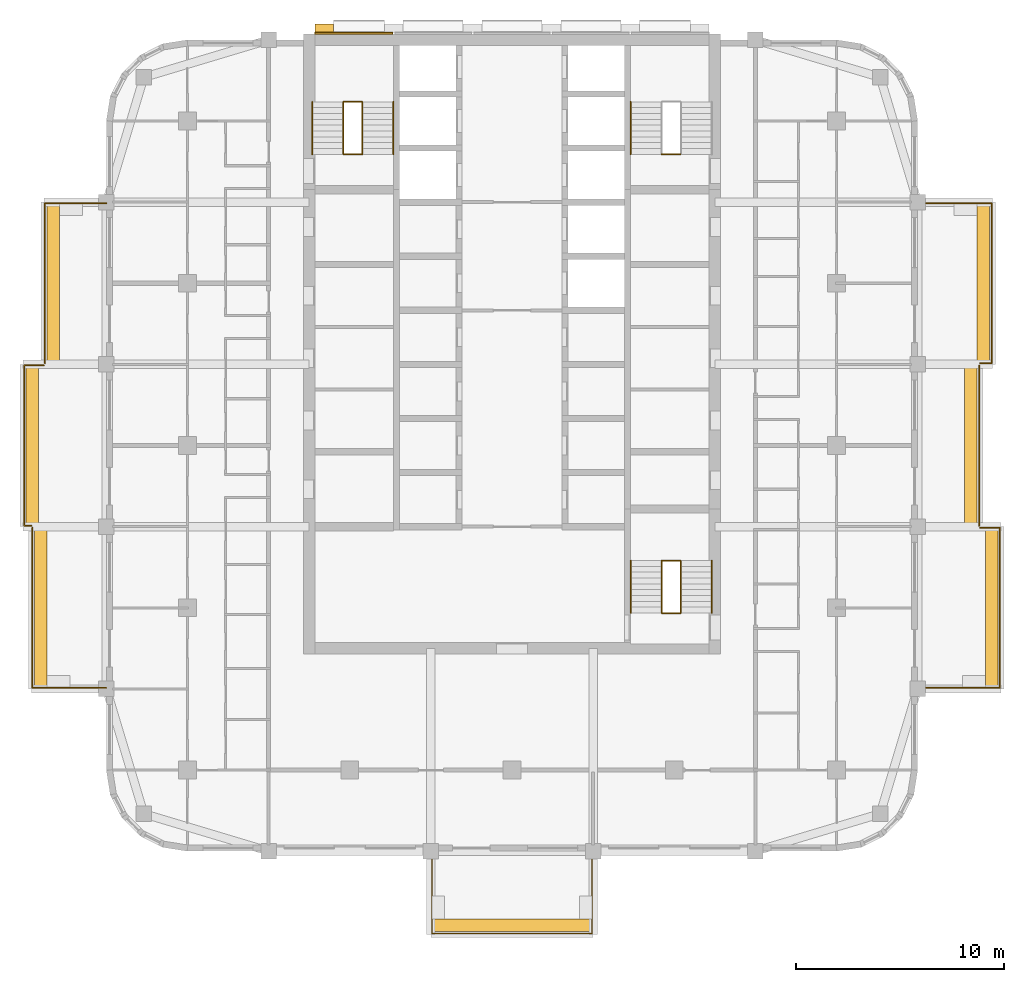
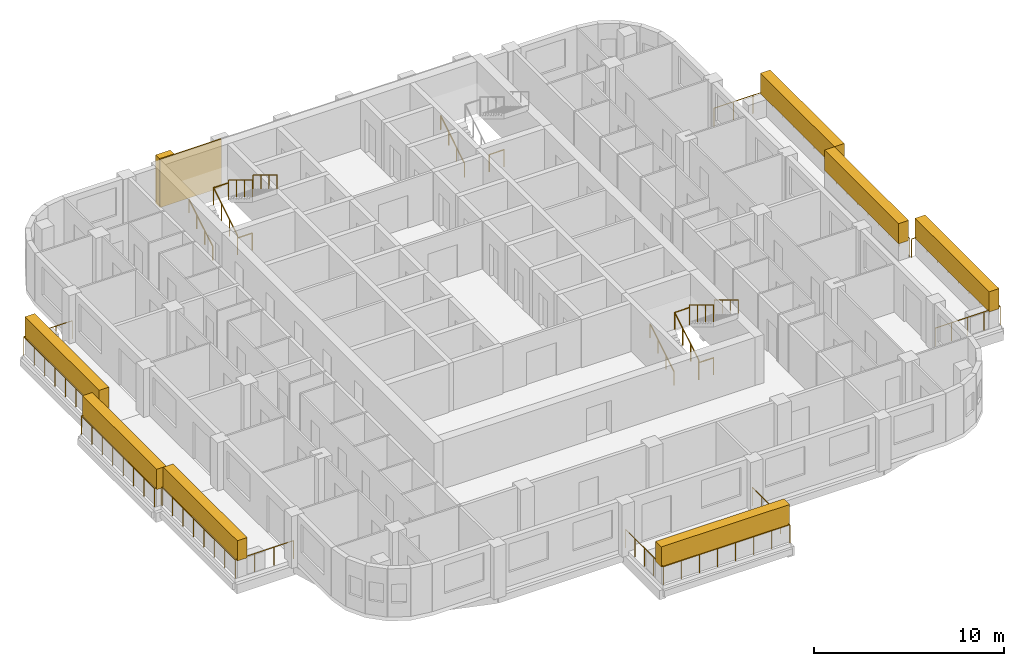
# One storey, part 12 of 13: 21 railings, 9 coverings, 3 elements without a shape of their own.
"""IFC4 building model written with IfcOpenShell, lengths in metres."""

from ifc_helpers import new_model, si_unit, direction, frame, origin, origin_2d, place, context, subcontext, project, spatial, rectangle, circle, extrude, material, layer, layer_set, type_object, element, aggregate, save


model = new_model("IFC4")

# Units and contexts
model_context = context("Model", 3, precision=1e-05, world=origin(), true_north=direction((0.0, 1.0)))
body_context = subcontext(model_context, "Body", "Model", "MODEL_VIEW")
ifc_project = project(units=[si_unit("LENGTHUNIT", "METRE"), si_unit("AREAUNIT", "SQUARE_METRE"), si_unit("VOLUMEUNIT", "CUBIC_METRE"), si_unit("PLANEANGLEUNIT", "RADIAN"), si_unit("MASSUNIT", "GRAM", prefix="KILO")], contexts=[model_context])

# Site, building, storey
site_placement = place(None, origin())
site = spatial("IfcSite", under=ifc_project, at=site_placement, CompositionType="ELEMENT")
building_placement = place(site_placement, origin())
building = spatial("IfcBuilding", under=site, at=building_placement, Name="Ludao Terraces", CompositionType="ELEMENT")
storey_placement = place(building_placement, frame((0.0, 0.0, 169.0)))
storey = spatial("IfcBuildingStorey", under=building, at=storey_placement, Name="L46", CompositionType="ELEMENT", Elevation=169.0)

# Railings
ifc_material_1 = material(Name="Stainless steel 304", Category="steel")
railing_type_1 = type_object("IfcRailingType", Name="ENV Balcony glass guard 1200", PredefinedType="GUARDRAIL", material=ifc_material_1)
railing_1_placement = place(storey_placement, frame((81.14990234375, 45.5, 0.0)))
element("IfcRailing", 1, at=railing_1_placement, inside=storey, type_object=railing_type_1, Name="Balcony guard L46 S1", PredefinedType="GUARDRAIL", context=body_context, shape_type="SweptSolid", body=[
    extrude(circle(Radius=0.02392578125, at=origin_2d()), frame((0.0, 0.0, 1.17578125), z_axis=(0.0, -1.0, 0.0), x_axis=(1.0, 0.0, 0.0)), (0.0, 0.0, 1.0), 3.949951171875),
    extrude(circle(Radius=0.02392578125, at=origin_2d()), frame((0.0, -3.949951171875, 1.17578125), z_axis=(1.0, 0.0, 0.0), x_axis=(0.0, 1.0, 0.0)), (0.0, 0.0, 1.0), 7.7001953125),
    extrude(circle(Radius=0.02392578125, at=origin_2d()), frame((7.7001953125, -3.949951171875, 1.17578125), z_axis=(0.0, 1.0, 0.0), x_axis=(-1.0, 0.0, 0.0)), (0.0, 0.0, 1.0), 3.949951171875),
    extrude(circle(Radius=0.02099609375, at=origin_2d()), origin(), (0.0, 0.0, 1.0), 1.15185546875),
    extrude(circle(Radius=0.02099609375, at=origin_2d()), frame((0.0, -0.987548828125, 0.0)), (0.0, 0.0, 1.0), 1.15185546875),
    extrude(circle(Radius=0.02099609375, at=origin_2d()), frame((0.0, -1.97509765625, 0.0)), (0.0, 0.0, 1.0), 1.15185546875),
    extrude(circle(Radius=0.02099609375, at=origin_2d()), frame((0.0, -2.96240234375, 0.0)), (0.0, 0.0, 1.0), 1.15185546875),
    extrude(circle(Radius=0.02099609375, at=origin_2d()), frame((0.0, -3.949951171875, 0.0)), (0.0, 0.0, 1.0), 1.15185546875),
    extrude(circle(Radius=0.02099609375, at=origin_2d()), frame((1.10009765625, -3.949951171875, 0.0)), (0.0, 0.0, 1.0), 1.15185546875),
    extrude(circle(Radius=0.02099609375, at=origin_2d()), frame((2.199951171875, -3.949951171875, 0.0)), (0.0, 0.0, 1.0), 1.15185546875),
    extrude(circle(Radius=0.02099609375, at=origin_2d()), frame((3.300048828125, -3.949951171875, 0.0)), (0.0, 0.0, 1.0), 1.15185546875),
    extrude(circle(Radius=0.02099609375, at=origin_2d()), frame((4.400146484375, -3.949951171875, 0.0)), (0.0, 0.0, 1.0), 1.15185546875),
    extrude(circle(Radius=0.02099609375, at=origin_2d()), frame((5.500244140625, -3.949951171875, 0.0)), (0.0, 0.0, 1.0), 1.15185546875),
    extrude(circle(Radius=0.02099609375, at=origin_2d()), frame((6.60009765625, -3.949951171875, 0.0)), (0.0, 0.0, 1.0), 1.15185546875),
    extrude(circle(Radius=0.02099609375, at=origin_2d()), frame((7.7001953125, -3.949951171875, 0.0)), (0.0, 0.0, 1.0), 1.15185546875),
    extrude(circle(Radius=0.02099609375, at=origin_2d()), frame((7.7001953125, -2.96240234375, 0.0)), (0.0, 0.0, 1.0), 1.15185546875),
    extrude(circle(Radius=0.02099609375, at=origin_2d()), frame((7.7001953125, -1.97509765625, 0.0)), (0.0, 0.0, 1.0), 1.15185546875),
    extrude(circle(Radius=0.02099609375, at=origin_2d()), frame((7.7001953125, -0.987548828125, 0.0)), (0.0, 0.0, 1.0), 1.15185546875),
    extrude(circle(Radius=0.02099609375, at=origin_2d()), frame((7.7001953125, 0.0, 0.0)), (0.0, 0.0, 1.0), 1.15185546875),
])
railing_2_placement = place(storey_placement, frame((104.5, 53.35009765625, 0.0)))
element("IfcRailing", 2, at=railing_2_placement, inside=storey, type_object=railing_type_1, Name="Balcony guard L46 E1", PredefinedType="GUARDRAIL", context=body_context, shape_type="SweptSolid", body=[
    extrude(circle(Radius=0.02392578125, at=origin_2d()), frame((0.0, 0.0, 1.17578125), z_axis=(1.0, 0.0, 0.0), x_axis=(0.0, 1.0, 0.0)), (0.0, 0.0, 1.0), 3.949951171875),
    extrude(circle(Radius=0.02392578125, at=origin_2d()), frame((3.949951171875, 0.0, 1.17578125), z_axis=(0.0, 1.0, 0.0), x_axis=(-1.0, 0.0, 0.0)), (0.0, 0.0, 1.0), 7.699951171875),
    extrude(circle(Radius=0.02392578125, at=origin_2d()), frame((3.949951171875, 7.699951171875, 1.17578125), z_axis=(-1.0, 0.0, 0.0), x_axis=(0.0, -1.0, 0.0)), (0.0, 0.0, 1.0), 0.949951171875),
    extrude(circle(Radius=0.02099609375, at=origin_2d()), origin(), (0.0, 0.0, 1.0), 1.15185546875),
    extrude(circle(Radius=0.02099609375, at=origin_2d()), frame((0.987548828125, 0.0, 0.0)), (0.0, 0.0, 1.0), 1.15185546875),
    extrude(circle(Radius=0.02099609375, at=origin_2d()), frame((1.97509765625, 0.0, 0.0)), (0.0, 0.0, 1.0), 1.15185546875),
    extrude(circle(Radius=0.02099609375, at=origin_2d()), frame((2.96240234375, 0.0, 0.0)), (0.0, 0.0, 1.0), 1.15185546875),
    extrude(circle(Radius=0.02099609375, at=origin_2d()), frame((3.949951171875, 0.0, 0.0)), (0.0, 0.0, 1.0), 1.15185546875),
    extrude(circle(Radius=0.02099609375, at=origin_2d()), frame((3.949951171875, 1.10009765625, 0.0)), (0.0, 0.0, 1.0), 1.15185546875),
    extrude(circle(Radius=0.02099609375, at=origin_2d()), frame((3.949951171875, 2.199951171875, 0.0)), (0.0, 0.0, 1.0), 1.15185546875),
    extrude(circle(Radius=0.02099609375, at=origin_2d()), frame((3.949951171875, 3.300048828125, 0.0)), (0.0, 0.0, 1.0), 1.15185546875),
    extrude(circle(Radius=0.02099609375, at=origin_2d()), frame((3.949951171875, 4.39990234375, 0.0)), (0.0, 0.0, 1.0), 1.15185546875),
    extrude(circle(Radius=0.02099609375, at=origin_2d()), frame((3.949951171875, 5.5, 0.0)), (0.0, 0.0, 1.0), 1.15185546875),
    extrude(circle(Radius=0.02099609375, at=origin_2d()), frame((3.949951171875, 6.599853515625, 0.0)), (0.0, 0.0, 1.0), 1.15185546875),
    extrude(circle(Radius=0.02099609375, at=origin_2d()), frame((3.949951171875, 7.699951171875, 0.0)), (0.0, 0.0, 1.0), 1.15185546875),
    extrude(circle(Radius=0.02099609375, at=origin_2d()), frame((3.0, 7.699951171875, 0.0)), (0.0, 0.0, 1.0), 1.15185546875),
])
railing_3_placement = place(storey_placement, frame((107.449951171875, 61.14990234375, 0.0)))
element("IfcRailing", 3, at=railing_3_placement, inside=storey, type_object=railing_type_1, Name="Balcony guard L46 E2", PredefinedType="GUARDRAIL", context=body_context, shape_type="SweptSolid", body=[
    extrude(circle(Radius=0.02392578125, at=origin_2d()), frame((0.0, 0.0, 1.17578125), z_axis=(0.0, 1.0, 0.0), x_axis=(-1.0, 0.0, 0.0)), (0.0, 0.0, 1.0), 7.7001953125),
    extrude(circle(Radius=0.02099609375, at=origin_2d()), origin(), (0.0, 0.0, 1.0), 1.15185546875),
    extrude(circle(Radius=0.02099609375, at=origin_2d()), frame((0.0, 1.10009765625, 0.0)), (0.0, 0.0, 1.0), 1.15185546875),
    extrude(circle(Radius=0.02099609375, at=origin_2d()), frame((0.0, 2.199951171875, 0.0)), (0.0, 0.0, 1.0), 1.15185546875),
    extrude(circle(Radius=0.02099609375, at=origin_2d()), frame((0.0, 3.300048828125, 0.0)), (0.0, 0.0, 1.0), 1.15185546875),
    extrude(circle(Radius=0.02099609375, at=origin_2d()), frame((0.0, 4.400146484375, 0.0)), (0.0, 0.0, 1.0), 1.15185546875),
    extrude(circle(Radius=0.02099609375, at=origin_2d()), frame((0.0, 5.500244140625, 0.0)), (0.0, 0.0, 1.0), 1.15185546875),
    extrude(circle(Radius=0.02099609375, at=origin_2d()), frame((0.0, 6.60009765625, 0.0)), (0.0, 0.0, 1.0), 1.15185546875),
    extrude(circle(Radius=0.02099609375, at=origin_2d()), frame((0.0, 7.7001953125, 0.0)), (0.0, 0.0, 1.0), 1.15185546875),
])
railing_4_placement = place(storey_placement, frame((107.5, 68.949951171875, 0.0)))
element("IfcRailing", 4, at=railing_4_placement, inside=storey, type_object=railing_type_1, Name="Balcony guard L46 E3", PredefinedType="GUARDRAIL", context=body_context, shape_type="SweptSolid", body=[
    extrude(circle(Radius=0.02392578125, at=origin_2d()), frame((0.0, 0.0, 1.17578125), z_axis=(1.0, 0.0, 0.0), x_axis=(0.0, 1.0, 0.0)), (0.0, 0.0, 1.0), 0.550048828125),
    extrude(circle(Radius=0.02392578125, at=origin_2d()), frame((0.550048828125, 0.0, 1.17578125), z_axis=(0.0, 1.0, 0.0), x_axis=(-1.0, 0.0, 0.0)), (0.0, 0.0, 1.0), 7.699951171875),
    extrude(circle(Radius=0.02392578125, at=origin_2d()), frame((0.550048828125, 7.699951171875, 1.17578125), z_axis=(-1.0, 0.0, 0.0), x_axis=(0.0, -1.0, 0.0)), (0.0, 0.0, 1.0), 3.550048828125),
    extrude(circle(Radius=0.02099609375, at=origin_2d()), origin(), (0.0, 0.0, 1.0), 1.15185546875),
    extrude(circle(Radius=0.02099609375, at=origin_2d()), frame((0.550048828125, 0.0, 0.0)), (0.0, 0.0, 1.0), 1.15185546875),
    extrude(circle(Radius=0.02099609375, at=origin_2d()), frame((0.550048828125, 1.10009765625, 0.0)), (0.0, 0.0, 1.0), 1.15185546875),
    extrude(circle(Radius=0.02099609375, at=origin_2d()), frame((0.550048828125, 2.199951171875, 0.0)), (0.0, 0.0, 1.0), 1.15185546875),
    extrude(circle(Radius=0.02099609375, at=origin_2d()), frame((0.550048828125, 3.300048828125, 0.0)), (0.0, 0.0, 1.0), 1.15185546875),
    extrude(circle(Radius=0.02099609375, at=origin_2d()), frame((0.550048828125, 4.39990234375, 0.0)), (0.0, 0.0, 1.0), 1.15185546875),
    extrude(circle(Radius=0.02099609375, at=origin_2d()), frame((0.550048828125, 5.5, 0.0)), (0.0, 0.0, 1.0), 1.15185546875),
    extrude(circle(Radius=0.02099609375, at=origin_2d()), frame((0.550048828125, 6.599853515625, 0.0)), (0.0, 0.0, 1.0), 1.15185546875),
    extrude(circle(Radius=0.02099609375, at=origin_2d()), frame((0.550048828125, 7.699951171875, 0.0)), (0.0, 0.0, 1.0), 1.15185546875),
    extrude(circle(Radius=0.02099609375, at=origin_2d()), frame((-0.63330078125, 7.699951171875, 0.0)), (0.0, 0.0, 1.0), 1.15185546875),
    extrude(circle(Radius=0.02099609375, at=origin_2d()), frame((-1.816650390625, 7.699951171875, 0.0)), (0.0, 0.0, 1.0), 1.15185546875),
    extrude(circle(Radius=0.02099609375, at=origin_2d()), frame((-3.0, 7.699951171875, 0.0)), (0.0, 0.0, 1.0), 1.15185546875),
])
railing_5_placement = place(storey_placement, frame((65.5, 53.35009765625, 0.0)))
element("IfcRailing", 5, at=railing_5_placement, inside=storey, type_object=railing_type_1, Name="Balcony guard L46 W1", PredefinedType="GUARDRAIL", context=body_context, shape_type="SweptSolid", body=[
    extrude(circle(Radius=0.02392578125, at=origin_2d()), frame((0.0, 0.0, 1.17578125), z_axis=(-1.0, 0.0, 0.0), x_axis=(0.0, -1.0, 0.0)), (0.0, 0.0, 1.0), 3.550048828125),
    extrude(circle(Radius=0.02392578125, at=origin_2d()), frame((-3.550048828125, 0.0, 1.17578125), z_axis=(0.0, 1.0, 0.0), x_axis=(-1.0, 0.0, 0.0)), (0.0, 0.0, 1.0), 7.699951171875),
    extrude(circle(Radius=0.02099609375, at=origin_2d()), origin(), (0.0, 0.0, 1.0), 1.15185546875),
    extrude(circle(Radius=0.02099609375, at=origin_2d()), frame((-1.183349609375, 0.0, 0.0)), (0.0, 0.0, 1.0), 1.15185546875),
    extrude(circle(Radius=0.02099609375, at=origin_2d()), frame((-2.36669921875, 0.0, 0.0)), (0.0, 0.0, 1.0), 1.15185546875),
    extrude(circle(Radius=0.02099609375, at=origin_2d()), frame((-3.550048828125, 0.0, 0.0)), (0.0, 0.0, 1.0), 1.15185546875),
    extrude(circle(Radius=0.02099609375, at=origin_2d()), frame((-3.550048828125, 1.10009765625, 0.0)), (0.0, 0.0, 1.0), 1.15185546875),
    extrude(circle(Radius=0.02099609375, at=origin_2d()), frame((-3.550048828125, 2.199951171875, 0.0)), (0.0, 0.0, 1.0), 1.15185546875),
    extrude(circle(Radius=0.02099609375, at=origin_2d()), frame((-3.550048828125, 3.300048828125, 0.0)), (0.0, 0.0, 1.0), 1.15185546875),
    extrude(circle(Radius=0.02099609375, at=origin_2d()), frame((-3.550048828125, 4.39990234375, 0.0)), (0.0, 0.0, 1.0), 1.15185546875),
    extrude(circle(Radius=0.02099609375, at=origin_2d()), frame((-3.550048828125, 5.5, 0.0)), (0.0, 0.0, 1.0), 1.15185546875),
    extrude(circle(Radius=0.02099609375, at=origin_2d()), frame((-3.550048828125, 6.599853515625, 0.0)), (0.0, 0.0, 1.0), 1.15185546875),
    extrude(circle(Radius=0.02099609375, at=origin_2d()), frame((-3.550048828125, 7.699951171875, 0.0)), (0.0, 0.0, 1.0), 1.15185546875),
])
railing_6_placement = place(storey_placement, frame((61.89990234375, 61.14990234375, 0.0)))
element("IfcRailing", 6, at=railing_6_placement, inside=storey, type_object=railing_type_1, Name="Balcony guard L46 W2", PredefinedType="GUARDRAIL", context=body_context, shape_type="SweptSolid", body=[
    extrude(circle(Radius=0.02392578125, at=origin_2d()), frame((0.0, 0.0, 1.17578125), z_axis=(-1.0, 0.0, 0.0), x_axis=(0.0, -1.0, 0.0)), (0.0, 0.0, 1.0), 0.349853515625),
    extrude(circle(Radius=0.02392578125, at=origin_2d()), frame((-0.349853515625, 0.0, 1.17578125), z_axis=(0.0, 1.0, 0.0), x_axis=(-1.0, 0.0, 0.0)), (0.0, 0.0, 1.0), 7.7001953125),
    extrude(circle(Radius=0.02392578125, at=origin_2d()), frame((-0.349853515625, 7.7001953125, 1.17578125), z_axis=(1.0, 0.0, 0.0), x_axis=(0.0, 1.0, 0.0)), (0.0, 0.0, 1.0), 0.949951171875),
    extrude(circle(Radius=0.02099609375, at=origin_2d()), origin(), (0.0, 0.0, 1.0), 1.15185546875),
    extrude(circle(Radius=0.02099609375, at=origin_2d()), frame((-0.349853515625, 0.0, 0.0)), (0.0, 0.0, 1.0), 1.15185546875),
    extrude(circle(Radius=0.02099609375, at=origin_2d()), frame((-0.349853515625, 1.10009765625, 0.0)), (0.0, 0.0, 1.0), 1.15185546875),
    extrude(circle(Radius=0.02099609375, at=origin_2d()), frame((-0.349853515625, 2.199951171875, 0.0)), (0.0, 0.0, 1.0), 1.15185546875),
    extrude(circle(Radius=0.02099609375, at=origin_2d()), frame((-0.349853515625, 3.300048828125, 0.0)), (0.0, 0.0, 1.0), 1.15185546875),
    extrude(circle(Radius=0.02099609375, at=origin_2d()), frame((-0.349853515625, 4.400146484375, 0.0)), (0.0, 0.0, 1.0), 1.15185546875),
    extrude(circle(Radius=0.02099609375, at=origin_2d()), frame((-0.349853515625, 5.500244140625, 0.0)), (0.0, 0.0, 1.0), 1.15185546875),
    extrude(circle(Radius=0.02099609375, at=origin_2d()), frame((-0.349853515625, 6.60009765625, 0.0)), (0.0, 0.0, 1.0), 1.15185546875),
    extrude(circle(Radius=0.02099609375, at=origin_2d()), frame((-0.349853515625, 7.7001953125, 0.0)), (0.0, 0.0, 1.0), 1.15185546875),
    extrude(circle(Radius=0.02099609375, at=origin_2d()), frame((0.60009765625, 7.7001953125, 0.0)), (0.0, 0.0, 1.0), 1.15185546875),
])
railing_7_placement = place(storey_placement, frame((62.550048828125, 68.949951171875, 0.0)))
element("IfcRailing", 7, at=railing_7_placement, inside=storey, type_object=railing_type_1, Name="Balcony guard L46 W3", PredefinedType="GUARDRAIL", context=body_context, shape_type="SweptSolid", body=[
    extrude(circle(Radius=0.02392578125, at=origin_2d()), frame((0.0, 0.0, 1.17578125), z_axis=(0.0, 1.0, 0.0), x_axis=(-1.0, 0.0, 0.0)), (0.0, 0.0, 1.0), 7.699951171875),
    extrude(circle(Radius=0.02392578125, at=origin_2d()), frame((0.0, 7.699951171875, 1.17578125), z_axis=(1.0, 0.0, 0.0), x_axis=(0.0, 1.0, 0.0)), (0.0, 0.0, 1.0), 2.949951171875),
    extrude(circle(Radius=0.02099609375, at=origin_2d()), origin(), (0.0, 0.0, 1.0), 1.15185546875),
    extrude(circle(Radius=0.02099609375, at=origin_2d()), frame((0.0, 1.10009765625, 0.0)), (0.0, 0.0, 1.0), 1.15185546875),
    extrude(circle(Radius=0.02099609375, at=origin_2d()), frame((0.0, 2.199951171875, 0.0)), (0.0, 0.0, 1.0), 1.15185546875),
    extrude(circle(Radius=0.02099609375, at=origin_2d()), frame((0.0, 3.300048828125, 0.0)), (0.0, 0.0, 1.0), 1.15185546875),
    extrude(circle(Radius=0.02099609375, at=origin_2d()), frame((0.0, 4.39990234375, 0.0)), (0.0, 0.0, 1.0), 1.15185546875),
    extrude(circle(Radius=0.02099609375, at=origin_2d()), frame((0.0, 5.5, 0.0)), (0.0, 0.0, 1.0), 1.15185546875),
    extrude(circle(Radius=0.02099609375, at=origin_2d()), frame((0.0, 6.599853515625, 0.0)), (0.0, 0.0, 1.0), 1.15185546875),
    extrude(circle(Radius=0.02099609375, at=origin_2d()), frame((0.0, 7.699951171875, 0.0)), (0.0, 0.0, 1.0), 1.15185546875),
    extrude(circle(Radius=0.02099609375, at=origin_2d()), frame((0.9833984375, 7.699951171875, 0.0)), (0.0, 0.0, 1.0), 1.15185546875),
    extrude(circle(Radius=0.02099609375, at=origin_2d()), frame((1.966552734375, 7.699951171875, 0.0)), (0.0, 0.0, 1.0), 1.15185546875),
    extrude(circle(Radius=0.02099609375, at=origin_2d()), frame((2.949951171875, 7.699951171875, 0.0)), (0.0, 0.0, 1.0), 1.15185546875),
])

# Coverings
ifc_material_2 = material(Name="Granite cladding", Category="masonry")
ifc_layer_1 = layer(ifc_material_2, 0.39990234375)
ifc_layer_set_1 = layer_set([ifc_layer_1], Name="ENV Core pilaster stone 400")
covering_type_1 = type_object("IfcCoveringType", Name="ENV Core pilaster stone 400", PredefinedType="CLADDING", material=ifc_layer_set_1)
covering_1_placement = place(storey_placement, frame((75.97509765625, 85.054931640625, 0.0), z_axis=(0.0, 0.0, 1.0), x_axis=(1.0, 0.0, 0.0)))
element("IfcCovering", 8, at=covering_1_placement, inside=storey, type_object=covering_type_1, Name="CC-L46-PIL1", PredefinedType="CLADDING", context=body_context, shape_type="SweptSolid", body=[
    extrude(rectangle(XDim=0.89990234375, YDim=0.39990234375, at=origin_2d()), origin(), (0.0, 0.0, 1.0), 3.10009765625),
])
ifc_layer_2 = layer(ifc_material_2, 0.080078125)
ifc_layer_set_2 = layer_set([ifc_layer_2], Name="ENV Core stone cladding panel 80")
covering_type_2 = type_object("IfcCoveringType", Name="ENV Core stone cladding panel 80", PredefinedType="CLADDING", material=ifc_layer_set_2)
covering_2_placement = place(storey_placement, frame((77.39501953125, 84.81494140625, 0.0), z_axis=(0.0, 0.0, 1.0), x_axis=(1.0, 0.0, 0.0)))
element("IfcCovering", 9, at=covering_2_placement, inside=storey, type_object=covering_type_2, Name="CC-L46-CORE1", PredefinedType="CLADDING", context=body_context, shape_type="SweptSolid", body=[
    extrude(rectangle(XDim=3.739990234375, YDim=0.080078125, at=origin_2d()), origin(), (0.0, 0.0, 1.0), 3.10009765625),
])
ifc_material_3 = material(Name="Planting")
ifc_layer_3 = layer(ifc_material_3, 0.60009765625)
ifc_layer_set_3 = layer_set([ifc_layer_3], Name="ENV Planting hedge 600x1300")
covering_type_3 = type_object("IfcCoveringType", Name="ENV Planting hedge 600x1300", PredefinedType="USERDEFINED", material=ifc_layer_set_3)
covering_3_placement = place(storey_placement, frame((85.0, 41.949951171875, 1.10009765625), z_axis=(0.0, 0.0, 1.0), x_axis=(1.0, 0.0, 0.0)))
element("IfcCovering", 10, at=covering_3_placement, inside=storey, type_object=covering_type_3, Name="Planting hedge L46-S1", ObjectType="PLANTING", PredefinedType="USERDEFINED", context=body_context, shape_type="SweptSolid", body=[
    extrude(rectangle(XDim=7.800048828125, YDim=0.60009765625, at=origin_2d()), origin(), (0.0, 0.0, 1.0), 1.300048828125),
])
for number, where, z_axis, x_axis, name in (
    (11, (108.050048828125, 57.199951171875, 1.10009765625), (0.0, 0.0, 1.0), (1.0, 0.0, 0.0), "Planting hedge L46-E1"),
    (12, (107.050048828125, 65.0, 1.10009765625), (0.0, 0.0, 1.0), (1.0, 0.0, 0.0), "Planting hedge L46-E2"),
    (13, (107.64990234375, 72.800048828125, 1.10009765625), (0.0, 0.0, 1.0), (1.0, 0.0, 0.0), "Planting hedge L46-E3"),
    (14, (62.35009765625, 57.199951171875, 1.10009765625), (0.0, 0.0, 1.0), (1.0, 0.0, 0.0), "Planting hedge L46-W1"),
    (15, (61.949951171875, 65.0, 1.10009765625), (0.0, 0.0, 1.0), (1.0, 0.0, 0.0), "Planting hedge L46-W2"),
    (16, (62.949951171875, 72.800048828125, 1.10009765625), (0.0, 0.0, 1.0), (1.0, 0.0, 0.0), "Planting hedge L46-W3"),
):
    element("IfcCovering", number, at=place(storey_placement, frame(where, z_axis=z_axis, x_axis=x_axis)), inside=storey, type_object=covering_type_3, Name=name, ObjectType="PLANTING", PredefinedType="USERDEFINED", context=body_context, shape_type="SweptSolid", body=[
        extrude(rectangle(XDim=0.60009765625, YDim=7.800048828125, at=origin_2d()), origin(), (0.0, 0.0, 1.0), 1.300048828125),
    ])

# Stair, railings
ifc_material_4 = material(Name="Concrete C40", Category="concrete")
stair_type = type_object("IfcStairType", Name="INT Stair", PredefinedType="HALF_TURN_STAIR", material=ifc_material_4)
stair_1_placement = place(storey_placement, origin())
stair_1 = element("IfcStair", 17, at=stair_1_placement, inside=storey, type_object=stair_type, Name="EXIT STAIR 1", PredefinedType="HALF_TURN_STAIR")
railing_type_2 = type_object("IfcRailingType", Name="INT Stair guard 1100", PredefinedType="GUARDRAIL", material=ifc_material_1)
railing_8_placement = place(storey_placement, frame((76.89990234375, 79.0, 0.169921875)))
railing_8 = element("IfcRailing", 18, at=railing_8_placement, type_object=railing_type_2, Name="ST-L46-S1-R1G", PredefinedType="GUARDRAIL", context=body_context, shape_type="SweptSolid", body=[
    extrude(circle(Radius=0.02392578125, at=origin_2d()), frame((0.0, 0.0, 1.076171875), z_axis=(0.0, 0.85478489116, 0.518982456201), x_axis=(-1.0, 0.0, 0.0)), (0.0, 0.0, 1.0), 2.9482421875),
    extrude(circle(Radius=0.02099609375, at=origin_2d()), origin(), (0.0, 0.0, 1.0), 1.052001953125),
    extrude(circle(Radius=0.02099609375, at=origin_2d()), frame((0.0, 0.840087890625, 0.510009765625)), (0.0, 0.0, 1.0), 1.052001953125),
    extrude(circle(Radius=0.02099609375, at=origin_2d()), frame((0.0, 1.679931640625, 1.02001953125)), (0.0, 0.0, 1.0), 1.052001953125),
    extrude(circle(Radius=0.02099609375, at=origin_2d()), frame((0.0, 2.52001953125, 1.530029296875)), (0.0, 0.0, 1.0), 1.052001953125),
])
railing_9_placement = place(storey_placement, frame((77.800048828125, 81.52001953125, 1.8701171875)))
railing_9 = element("IfcRailing", 19, at=railing_9_placement, type_object=railing_type_2, Name="ST-L46-S1-R2G", PredefinedType="GUARDRAIL", context=body_context, shape_type="SweptSolid", body=[
    extrude(circle(Radius=0.02392578125, at=origin_2d()), frame((0.0, 0.0, 1.076171875), z_axis=(0.0, -0.854821627497, 0.518921945155), x_axis=(1.0, 0.0, 0.0)), (0.0, 0.0, 1.0), 2.947998046875),
    extrude(circle(Radius=0.02099609375, at=origin_2d()), origin(), (0.0, 0.0, 1.0), 1.052001953125),
    extrude(circle(Radius=0.02099609375, at=origin_2d()), frame((0.0, -0.840087890625, 0.510009765625)), (0.0, 0.0, 1.0), 1.052001953125),
    extrude(circle(Radius=0.02099609375, at=origin_2d()), frame((0.0, -1.679931640625, 1.019775390625)), (0.0, 0.0, 1.0), 1.052001953125),
    extrude(circle(Radius=0.02099609375, at=origin_2d()), frame((0.0, -2.52001953125, 1.52978515625)), (0.0, 0.0, 1.0), 1.052001953125),
])
railing_10_placement = place(storey_placement, frame((76.89990234375, 81.52001953125, 1.699951171875)))
railing_10 = element("IfcRailing", 20, at=railing_10_placement, type_object=railing_type_2, Name="ST-L46-S1-E1G", PredefinedType="GUARDRAIL", context=body_context, shape_type="SweptSolid", body=[
    extrude(circle(Radius=0.02392578125, at=origin_2d()), frame((0.0, 0.0, 1.076171875), z_axis=(1.0, 0.0, 0.0), x_axis=(0.0, 1.0, 0.0)), (0.0, 0.0, 1.0), 0.900146484375),
    extrude(circle(Radius=0.02099609375, at=origin_2d()), origin(), (0.0, 0.0, 1.0), 1.052001953125),
    extrude(circle(Radius=0.02099609375, at=origin_2d()), frame((0.900146484375, 0.0, 0.0)), (0.0, 0.0, 1.0), 1.052001953125),
])
railing_11_placement = place(storey_placement, frame((76.89990234375, 79.0, 0.0)))
railing_11 = element("IfcRailing", 21, at=railing_11_placement, type_object=railing_type_2, Name="ST-L46-S1-E2G", PredefinedType="GUARDRAIL", context=body_context, shape_type="SweptSolid", body=[
    extrude(circle(Radius=0.02392578125, at=origin_2d()), frame((0.0, 0.0, 1.076171875), z_axis=(1.0, 0.0, 0.0), x_axis=(0.0, 1.0, 0.0)), (0.0, 0.0, 1.0), 0.900146484375),
    extrude(circle(Radius=0.02099609375, at=origin_2d()), origin(), (0.0, 0.0, 1.0), 1.052001953125),
    extrude(circle(Radius=0.02099609375, at=origin_2d()), frame((0.900146484375, 0.0, 0.0)), (0.0, 0.0, 1.0), 1.052001953125),
])

# Stair, railing
stair_2_placement = place(storey_placement, origin())
stair_2 = element("IfcStair", 22, at=stair_2_placement, inside=storey, type_object=stair_type, Name="EXIT STAIR 2", PredefinedType="HALF_TURN_STAIR")
railing_12_placement = place(storey_placement, frame((92.199951171875, 79.0, 0.0)))
railing_12 = element("IfcRailing", 23, at=railing_12_placement, type_object=railing_type_2, Name="ST-L46-S2-E2G", PredefinedType="GUARDRAIL", context=body_context, shape_type="SweptSolid", body=[
    extrude(circle(Radius=0.02392578125, at=origin_2d()), frame((0.0, 0.0, 1.076171875), z_axis=(1.0, 0.0, 0.0), x_axis=(0.0, 1.0, 0.0)), (0.0, 0.0, 1.0), 0.900146484375),
    extrude(circle(Radius=0.02099609375, at=origin_2d()), origin(), (0.0, 0.0, 1.0), 1.052001953125),
    extrude(circle(Radius=0.02099609375, at=origin_2d()), frame((0.900146484375, 0.0, 0.0)), (0.0, 0.0, 1.0), 1.052001953125),
])

# Stair, railings
stair_3_placement = place(storey_placement, origin())
stair_3 = element("IfcStair", 24, at=stair_3_placement, inside=storey, type_object=stair_type, Name="EXIT STAIR 3", PredefinedType="HALF_TURN_STAIR")
railing_13_placement = place(storey_placement, frame((92.199951171875, 56.949951171875, 0.169921875)))
railing_13 = element("IfcRailing", 25, at=railing_13_placement, type_object=railing_type_2, Name="ST-L46-S3-R1G", PredefinedType="GUARDRAIL", context=body_context, shape_type="SweptSolid", body=[
    extrude(circle(Radius=0.02392578125, at=origin_2d()), frame((0.0, 0.0, 1.076171875), z_axis=(0.0, 0.85478489116, 0.518982456201), x_axis=(-1.0, 0.0, 0.0)), (0.0, 0.0, 1.0), 2.9482421875),
    extrude(circle(Radius=0.02099609375, at=origin_2d()), origin(), (0.0, 0.0, 1.0), 1.052001953125),
    extrude(circle(Radius=0.02099609375, at=origin_2d()), frame((0.0, 0.840087890625, 0.510009765625)), (0.0, 0.0, 1.0), 1.052001953125),
    extrude(circle(Radius=0.02099609375, at=origin_2d()), frame((0.0, 1.679931640625, 1.02001953125)), (0.0, 0.0, 1.0), 1.052001953125),
    extrude(circle(Radius=0.02099609375, at=origin_2d()), frame((0.0, 2.52001953125, 1.530029296875)), (0.0, 0.0, 1.0), 1.052001953125),
])
railing_14_placement = place(storey_placement, frame((93.10009765625, 59.469970703125, 1.8701171875)))
railing_14 = element("IfcRailing", 26, at=railing_14_placement, type_object=railing_type_2, Name="ST-L46-S3-R2G", PredefinedType="GUARDRAIL", context=body_context, shape_type="SweptSolid", body=[
    extrude(circle(Radius=0.02392578125, at=origin_2d()), frame((0.0, 0.0, 1.076171875), z_axis=(0.0, -0.854821627497, 0.518921945155), x_axis=(1.0, 0.0, 0.0)), (0.0, 0.0, 1.0), 2.947998046875),
    extrude(circle(Radius=0.02099609375, at=origin_2d()), origin(), (0.0, 0.0, 1.0), 1.052001953125),
    extrude(circle(Radius=0.02099609375, at=origin_2d()), frame((0.0, -0.840087890625, 0.510009765625)), (0.0, 0.0, 1.0), 1.052001953125),
    extrude(circle(Radius=0.02099609375, at=origin_2d()), frame((0.0, -1.679931640625, 1.019775390625)), (0.0, 0.0, 1.0), 1.052001953125),
    extrude(circle(Radius=0.02099609375, at=origin_2d()), frame((0.0, -2.52001953125, 1.52978515625)), (0.0, 0.0, 1.0), 1.052001953125),
])
railing_15_placement = place(storey_placement, frame((92.199951171875, 59.469970703125, 1.699951171875)))
railing_15 = element("IfcRailing", 27, at=railing_15_placement, type_object=railing_type_2, Name="ST-L46-S3-E1G", PredefinedType="GUARDRAIL", context=body_context, shape_type="SweptSolid", body=[
    extrude(circle(Radius=0.02392578125, at=origin_2d()), frame((0.0, 0.0, 1.076171875), z_axis=(1.0, 0.0, 0.0), x_axis=(0.0, 1.0, 0.0)), (0.0, 0.0, 1.0), 0.900146484375),
    extrude(circle(Radius=0.02099609375, at=origin_2d()), origin(), (0.0, 0.0, 1.0), 1.052001953125),
    extrude(circle(Radius=0.02099609375, at=origin_2d()), frame((0.900146484375, 0.0, 0.0)), (0.0, 0.0, 1.0), 1.052001953125),
])
railing_16_placement = place(storey_placement, frame((92.199951171875, 56.949951171875, 0.0)))
railing_16 = element("IfcRailing", 28, at=railing_16_placement, type_object=railing_type_2, Name="ST-L46-S3-E2G", PredefinedType="GUARDRAIL", context=body_context, shape_type="SweptSolid", body=[
    extrude(circle(Radius=0.02392578125, at=origin_2d()), frame((0.0, 0.0, 1.076171875), z_axis=(1.0, 0.0, 0.0), x_axis=(0.0, 1.0, 0.0)), (0.0, 0.0, 1.0), 0.900146484375),
    extrude(circle(Radius=0.02099609375, at=origin_2d()), origin(), (0.0, 0.0, 1.0), 1.052001953125),
    extrude(circle(Radius=0.02099609375, at=origin_2d()), frame((0.900146484375, 0.0, 0.0)), (0.0, 0.0, 1.0), 1.052001953125),
])

# Railing
railing_type_3 = type_object("IfcRailingType", Name="INT Stair handrail 900", PredefinedType="HANDRAIL", material=ifc_material_1)
railing_17_placement = place(storey_placement, frame((75.39990234375, 79.0, 0.169921875)))
railing_17 = element("IfcRailing", 29, at=railing_17_placement, type_object=railing_type_3, Name="ST-L46-S1-R1H", PredefinedType="HANDRAIL", context=body_context, shape_type="SweptSolid", body=[
    extrude(circle(Radius=0.02392578125, at=origin_2d()), frame((0.0, 0.0, 0.8759765625), z_axis=(0.0, 0.85478489116, 0.518982456201), x_axis=(-1.0, 0.0, 0.0)), (0.0, 0.0, 1.0), 2.9482421875),
    extrude(circle(Radius=0.02099609375, at=origin_2d()), origin(), (0.0, 0.0, 1.0), 0.851806640625),
    extrude(circle(Radius=0.02099609375, at=origin_2d()), frame((0.0, 0.840087890625, 0.510009765625)), (0.0, 0.0, 1.0), 0.851806640625),
    extrude(circle(Radius=0.02099609375, at=origin_2d()), frame((0.0, 1.679931640625, 1.02001953125)), (0.0, 0.0, 1.0), 0.851806640625),
    extrude(circle(Radius=0.02099609375, at=origin_2d()), frame((0.0, 2.52001953125, 1.530029296875)), (0.0, 0.0, 1.0), 0.851806640625),
])

railing_18_placement = place(storey_placement, frame((79.300048828125, 81.52001953125, 1.8701171875)))
railing_18 = element("IfcRailing", 30, at=railing_18_placement, type_object=railing_type_3, Name="ST-L46-S1-R2H", PredefinedType="HANDRAIL", context=body_context, shape_type="SweptSolid", body=[
    extrude(circle(Radius=0.02392578125, at=origin_2d()), frame((0.0, 0.0, 0.8759765625), z_axis=(0.0, -0.854821627497, 0.518921945155), x_axis=(1.0, 0.0, 0.0)), (0.0, 0.0, 1.0), 2.947998046875),
    extrude(circle(Radius=0.02099609375, at=origin_2d()), origin(), (0.0, 0.0, 1.0), 0.851806640625),
    extrude(circle(Radius=0.02099609375, at=origin_2d()), frame((0.0, -0.840087890625, 0.510009765625)), (0.0, 0.0, 1.0), 0.851806640625),
    extrude(circle(Radius=0.02099609375, at=origin_2d()), frame((0.0, -1.679931640625, 1.019775390625)), (0.0, 0.0, 1.0), 0.851806640625),
    extrude(circle(Radius=0.02099609375, at=origin_2d()), frame((0.0, -2.52001953125, 1.52978515625)), (0.0, 0.0, 1.0), 0.851806640625),
])

aggregate(stair_1, [railing_8, railing_17, railing_9, railing_18, railing_10, railing_11])

railing_19_placement = place(storey_placement, frame((90.699951171875, 79.0, 0.169921875)))
railing_19 = element("IfcRailing", 31, at=railing_19_placement, type_object=railing_type_3, Name="ST-L46-S2-R1H", PredefinedType="HANDRAIL", context=body_context, shape_type="SweptSolid", body=[
    extrude(circle(Radius=0.02392578125, at=origin_2d()), frame((0.0, 0.0, 0.8759765625), z_axis=(0.0, 0.85478489116, 0.518982456201), x_axis=(-1.0, 0.0, 0.0)), (0.0, 0.0, 1.0), 2.9482421875),
    extrude(circle(Radius=0.02099609375, at=origin_2d()), origin(), (0.0, 0.0, 1.0), 0.851806640625),
    extrude(circle(Radius=0.02099609375, at=origin_2d()), frame((0.0, 0.840087890625, 0.510009765625)), (0.0, 0.0, 1.0), 0.851806640625),
    extrude(circle(Radius=0.02099609375, at=origin_2d()), frame((0.0, 1.679931640625, 1.02001953125)), (0.0, 0.0, 1.0), 0.851806640625),
    extrude(circle(Radius=0.02099609375, at=origin_2d()), frame((0.0, 2.52001953125, 1.530029296875)), (0.0, 0.0, 1.0), 0.851806640625),
])

aggregate(stair_2, [railing_19, railing_12])

railing_20_placement = place(storey_placement, frame((90.699951171875, 56.949951171875, 0.169921875)))
railing_20 = element("IfcRailing", 32, at=railing_20_placement, type_object=railing_type_3, Name="ST-L46-S3-R1H", PredefinedType="HANDRAIL", context=body_context, shape_type="SweptSolid", body=[
    extrude(circle(Radius=0.02392578125, at=origin_2d()), frame((0.0, 0.0, 0.8759765625), z_axis=(0.0, 0.85478489116, 0.518982456201), x_axis=(-1.0, 0.0, 0.0)), (0.0, 0.0, 1.0), 2.9482421875),
    extrude(circle(Radius=0.02099609375, at=origin_2d()), origin(), (0.0, 0.0, 1.0), 0.851806640625),
    extrude(circle(Radius=0.02099609375, at=origin_2d()), frame((0.0, 0.840087890625, 0.510009765625)), (0.0, 0.0, 1.0), 0.851806640625),
    extrude(circle(Radius=0.02099609375, at=origin_2d()), frame((0.0, 1.679931640625, 1.02001953125)), (0.0, 0.0, 1.0), 0.851806640625),
    extrude(circle(Radius=0.02099609375, at=origin_2d()), frame((0.0, 2.52001953125, 1.530029296875)), (0.0, 0.0, 1.0), 0.851806640625),
])

railing_21_placement = place(storey_placement, frame((94.60009765625, 59.469970703125, 1.8701171875)))
railing_21 = element("IfcRailing", 33, at=railing_21_placement, type_object=railing_type_3, Name="ST-L46-S3-R2H", PredefinedType="HANDRAIL", context=body_context, shape_type="SweptSolid", body=[
    extrude(circle(Radius=0.02392578125, at=origin_2d()), frame((0.0, 0.0, 0.8759765625), z_axis=(0.0, -0.854821627497, 0.518921945155), x_axis=(1.0, 0.0, 0.0)), (0.0, 0.0, 1.0), 2.947998046875),
    extrude(circle(Radius=0.02099609375, at=origin_2d()), origin(), (0.0, 0.0, 1.0), 0.851806640625),
    extrude(circle(Radius=0.02099609375, at=origin_2d()), frame((0.0, -0.840087890625, 0.510009765625)), (0.0, 0.0, 1.0), 0.851806640625),
    extrude(circle(Radius=0.02099609375, at=origin_2d()), frame((0.0, -1.679931640625, 1.019775390625)), (0.0, 0.0, 1.0), 0.851806640625),
    extrude(circle(Radius=0.02099609375, at=origin_2d()), frame((0.0, -2.52001953125, 1.52978515625)), (0.0, 0.0, 1.0), 0.851806640625),
])

aggregate(stair_3, [railing_13, railing_20, railing_14, railing_21, railing_15, railing_16])

save(model, "model.ifc")
